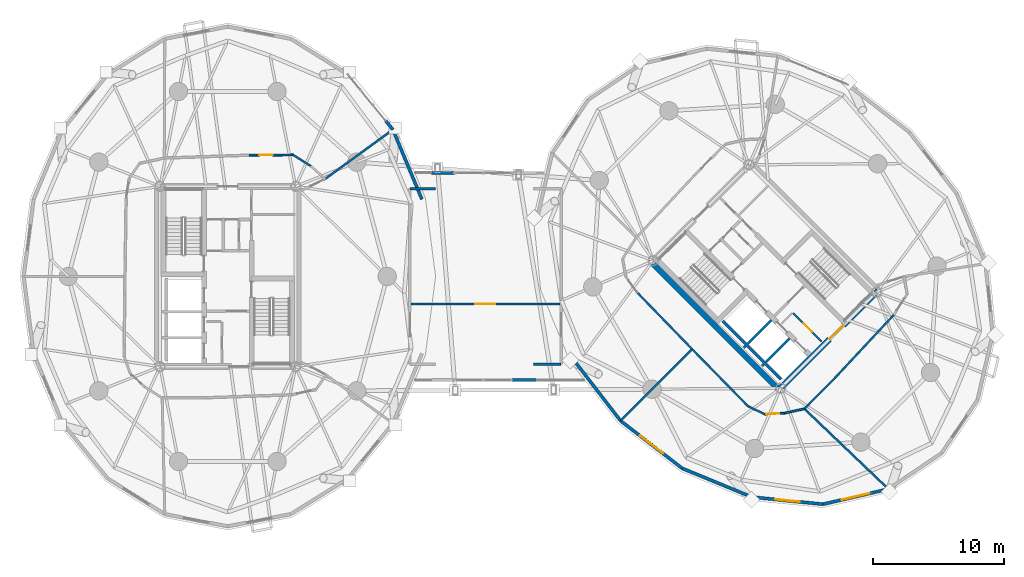
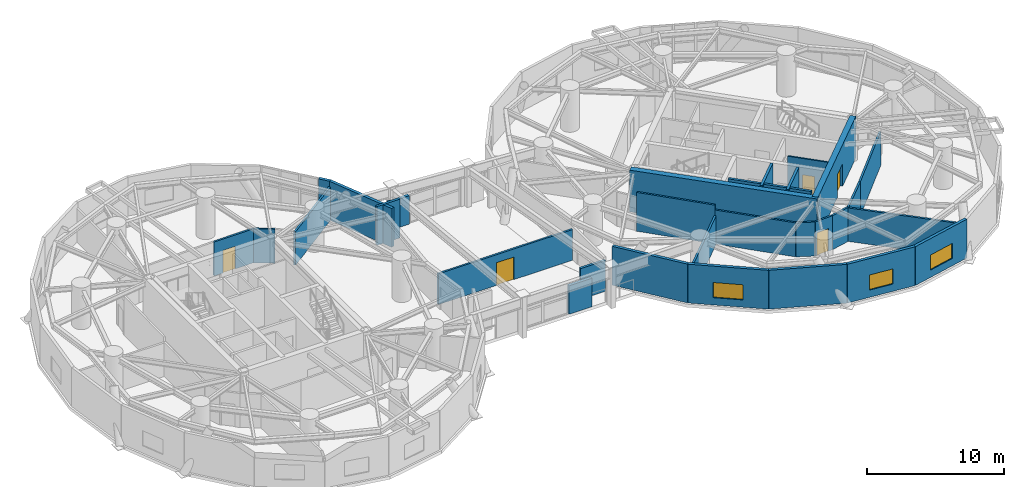
# One storey, part 15 of 20: 32 walls, 5 doors, 3 windows, 8 openings.
"""IFC4 building model written with IfcOpenShell, lengths in metres."""

import ifcopenshell
import ifcopenshell.guid

model = None  # the IFC model being written
_history = None  # IfcOwnerHistory: only IFC2X3 demands one
_inside = {}  # id of a spatial element -> (the spatial element, [elements in it])
_under = {}  # id of a project, library or spatial element -> (it, [spatial elements below it])
_declared = {}  # id of a project -> (the project, [libraries it declares])
_typed = {}  # id of a type object -> (the type object, [elements of that type])
_made_of = {}  # id of a material, layer set ... -> (it, [elements and type objects made of it])


def new_model(schema):
    """Start an empty IFC model of exactly this schema.

    Asked for "IFC4X3", IfcOpenShell would pick the latest addendum, in which some entities
    have other attributes; the version numbers below select the first issue.
    IFC2X3 requires an IfcOwnerHistory on every rooted entity: one is made here for all.
    """
    global model, _history
    if schema == "IFC4X3":
        model = ifcopenshell.file(schema_version=(4, 3, 0, 0))
    else:
        model = ifcopenshell.file(schema=schema)
    _inside.clear()
    _under.clear()
    _declared.clear()
    _typed.clear()
    _made_of.clear()
    _history = None
    if model.schema == "IFC2X3":
        org = make("IfcOrganization", Name="unknown")
        user = make(
            "IfcPersonAndOrganization",
            ThePerson=make("IfcPerson", FamilyName="unknown"),
            TheOrganization=org,
        )
        app = make(
            "IfcApplication",
            ApplicationDeveloper=org,
            Version="unknown",
            ApplicationFullName="unknown",
            ApplicationIdentifier="unknown",
        )
        _history = make(
            "IfcOwnerHistory",
            OwningUser=user,
            OwningApplication=app,
            ChangeAction="ADDED",
            CreationDate=0,
        )
    return model


def make(cls, **values):
    """One entity of the class cls with the attributes given. An attribute that is None is left unset."""
    return model.create_entity(
        cls, **{name: value for name, value in values.items() if value is not None}
    )


def rooted(cls, **values):
    """An entity with a GlobalId (a new one), such as an element, a storey or a relation."""
    return make(cls, GlobalId=ifcopenshell.guid.new(), OwnerHistory=_history, **values)


def si_unit(unit_type, name, prefix=None):
    """IfcSIUnit, for example si_unit("LENGTHUNIT", "METRE", prefix="MILLI")."""
    return make("IfcSIUnit", UnitType=unit_type, Prefix=prefix, Name=name)


def assignment(units):
    """IfcUnitAssignment: the units of a project."""
    return None if units is None else make("IfcUnitAssignment", Units=units)


def point(xyz):
    """IfcCartesianPoint."""
    return None if xyz is None else make("IfcCartesianPoint", Coordinates=xyz)


def direction(xyz):
    """IfcDirection."""
    return None if xyz is None else make("IfcDirection", DirectionRatios=xyz)


def frame(location, z_axis=None, x_axis=None):
    """IfcAxis2Placement3D, a coordinate frame: its origin and axes. An axis left out is left unset."""
    return make(
        "IfcAxis2Placement3D",
        Location=point(location),
        Axis=direction(z_axis),
        RefDirection=direction(x_axis),
    )


def frame_2d(location, x_axis=None):
    """IfcAxis2Placement2D, a coordinate frame in the plane: its origin and x axis."""
    return make(
        "IfcAxis2Placement2D", Location=point(location), RefDirection=direction(x_axis)
    )


def origin():
    """The frame at (0, 0, 0) with its axes left unset."""
    return frame((0.0, 0.0, 0.0))


def place(relative_to, where):
    """IfcLocalPlacement: puts the frame where relative to a parent placement (None: the world)."""
    return make(
        "IfcLocalPlacement", PlacementRelTo=relative_to, RelativePlacement=where
    )


def context(
    kind, dimensions, precision=None, world=None, true_north=None, identifier=None
):
    """IfcGeometricRepresentationContext, for example the 3D "Model" context."""
    return make(
        "IfcGeometricRepresentationContext",
        ContextIdentifier=identifier,
        ContextType=kind,
        CoordinateSpaceDimension=dimensions,
        Precision=precision,
        WorldCoordinateSystem=world,
        TrueNorth=true_north,
    )


def subcontext(parent, identifier, kind, view, scale=None):
    """IfcGeometricRepresentationSubContext, for example "Body" below "Model"."""
    return make(
        "IfcGeometricRepresentationSubContext",
        ContextIdentifier=identifier,
        ContextType=kind,
        ParentContext=parent,
        TargetScale=scale,
        TargetView=view,
    )


def project(units=None, contexts=None):
    """IfcProject with its units and contexts."""
    return rooted(
        "IfcProject",
        Name="project",
        RepresentationContexts=contexts,
        UnitsInContext=assignment(units),
    )


def spatial(cls, under=None, at=None, **own):
    """A site, building, storey or space (cls), placed at a placement, below another one or the project."""
    s = rooted(cls, ObjectPlacement=at, **own)
    if under is not None:
        _under.setdefault(under.id(), (under, []))[1].append(s)
    return s


def profile(cls, at=None, kind="AREA", **sizes):
    """A parametric profile (cls). Its sizes go by their IFC names, for example OverallWidth=200.0."""
    return make(cls, ProfileType=kind, Position=at, **sizes)


def rectangle(**sizes):
    """IfcRectangleProfileDef."""
    return profile("IfcRectangleProfileDef", **sizes)


def extrude(swept, where, along, depth):
    """IfcExtrudedAreaSolid: the profile swept, set in the frame where, extruded along a direction by depth."""
    return make(
        "IfcExtrudedAreaSolid",
        SweptArea=swept,
        Position=where,
        ExtrudedDirection=direction(along),
        Depth=depth,
    )


def shape(context_of_items, identifier, shape_type, items):
    """IfcShapeRepresentation: the items that make up one representation, for example the "Body"."""
    return make(
        "IfcShapeRepresentation",
        ContextOfItems=context_of_items,
        RepresentationIdentifier=identifier,
        RepresentationType=shape_type,
        Items=items,
    )


def source(mapping_origin, context_of_items, identifier, shape_type, items):
    """IfcRepresentationMap: a shape defined once, which mapped items show again and again."""
    return make(
        "IfcRepresentationMap",
        MappingOrigin=mapping_origin,
        MappedRepresentation=shape(context_of_items, identifier, shape_type, items),
    )


def transform(
    local_origin,
    x_axis=None,
    y_axis=None,
    z_axis=None,
    scale=None,
    scale2=None,
    scale3=None,
    uniform=True,
):
    """IfcCartesianTransformationOperator3D, or its non-uniform kind. x_axis, y_axis, z_axis: its Axis1, 2, 3."""
    if uniform:
        return make(
            "IfcCartesianTransformationOperator3D",
            Axis1=direction(x_axis),
            Axis2=direction(y_axis),
            LocalOrigin=point(local_origin),
            Scale=scale,
            Axis3=direction(z_axis),
        )
    return make(
        "IfcCartesianTransformationOperator3DnonUniform",
        Axis1=direction(x_axis),
        Axis2=direction(y_axis),
        LocalOrigin=point(local_origin),
        Scale=scale,
        Axis3=direction(z_axis),
        Scale2=scale2,
        Scale3=scale3,
    )


def mapped(mapping_source, mapping_target):
    """IfcMappedItem: shows the shape of a source again, moved by a transform."""
    return make(
        "IfcMappedItem", MappingSource=mapping_source, MappingTarget=mapping_target
    )


def material(Name=None, Category=None):
    """IfcMaterial."""
    return make("IfcMaterial", Name=Name, Category=Category)


def layer(
    of_material, thickness, ventilated=None, Name=None, Category=None, Priority=None
):
    """IfcMaterialLayer: one layer of a wall or slab, of a material (None: an air gap)."""
    return make(
        "IfcMaterialLayer",
        Material=of_material,
        LayerThickness=thickness,
        IsVentilated=ventilated,
        Name=Name,
        Category=Category,
        Priority=Priority,
    )


def layer_set(layers, Name=None):
    """IfcMaterialLayerSet."""
    return make("IfcMaterialLayerSet", MaterialLayers=layers, LayerSetName=Name)


def made_of(thing, what):
    """Note that an element or type object is made of a material, layer set ...; save() writes the relation."""
    if what is not None:
        _made_of.setdefault(what.id(), (what, []))[1].append(thing)
    return thing


def type_object(cls, material=None, **own):
    """A type object (cls), such as IfcWallType, which elements share."""
    return made_of(rooted(cls, **own), material)


def element(
    cls,
    number,
    at=None,
    inside=None,
    cuts=None,
    type_object=None,
    material=None,
    context=None,
    identifier="Body",
    shape_type=None,
    held_by="IfcProductDefinitionShape",
    body=None,
    shapes=None,
    **own,
):
    """One element of the class cls, such as IfcWall. Its Tag is "e" and its number.

    at: its placement. inside: the storey or other place that contains it. cuts: it is an
    opening in that element (IfcRelVoidsElement). A single representation is given by context,
    identifier, shape_type and body (its items); several are given by shapes. held_by: the class
    of the entity that holds the representations. save() writes the other relations.
    """
    e = rooted(cls, Tag="e%d" % number, ObjectPlacement=at, **own)
    if body is not None:
        shapes = [shape(context, identifier, shape_type, body)]
    if shapes is not None:
        e.Representation = make(held_by, Representations=shapes)
    if inside is not None:
        _inside.setdefault(inside.id(), (inside, []))[1].append(e)
    if cuts is not None:
        rooted(
            "IfcRelVoidsElement", RelatingBuildingElement=cuts, RelatedOpeningElement=e
        )
    if type_object is not None:
        _typed.setdefault(type_object.id(), (type_object, []))[1].append(e)
    return made_of(e, material)


def fill(opening, filler):
    """IfcRelFillsElement: the door or window that sits in an opening."""
    return rooted(
        "IfcRelFillsElement",
        RelatingOpeningElement=opening,
        RelatedBuildingElement=filler,
    )


def aggregate(whole, parts):
    """IfcRelAggregates: a whole, such as a stair, and the parts it consists of."""
    return rooted("IfcRelAggregates", RelatingObject=whole, RelatedObjects=parts)


def save(model, path):
    """Write the relations noted so far, then the file.

    IfcRelAggregates (storeys below a building ...), IfcRelContainedInSpatialStructure (elements
    in a storey), IfcRelDefinesByType, IfcRelAssociatesMaterial and IfcRelDeclares: one each for
    every whole, place, type object, material and project.
    """
    for whole, parts in _under.values():
        aggregate(whole, parts)
    for where, things in _inside.values():
        rooted(
            "IfcRelContainedInSpatialStructure",
            RelatedElements=things,
            RelatingStructure=where,
        )
    for kind, things in _typed.values():
        rooted("IfcRelDefinesByType", RelatedObjects=things, RelatingType=kind)
    for what, things in _made_of.values():
        rooted("IfcRelAssociatesMaterial", RelatedObjects=things, RelatingMaterial=what)
    for by, libraries in _declared.values():
        rooted("IfcRelDeclares", RelatingContext=by, RelatedDefinitions=libraries)
    model.write(path)


model = new_model("IFC4")

# Units and contexts
model_context = context("Model", 3, precision=1e-05, world=origin(), true_north=direction((0.0, 1.0)))
body_context = subcontext(model_context, "Body", "Model", "MODEL_VIEW")
ifc_project = project(units=[si_unit("LENGTHUNIT", "METRE"), si_unit("AREAUNIT", "SQUARE_METRE"), si_unit("VOLUMEUNIT", "CUBIC_METRE"), si_unit("PLANEANGLEUNIT", "RADIAN"), si_unit("MASSUNIT", "GRAM", prefix="KILO")], contexts=[model_context])

# Site, building, storey
site_placement = place(None, origin())
site = spatial("IfcSite", under=ifc_project, at=site_placement, CompositionType="ELEMENT")
building_placement = place(site_placement, origin())
building = spatial("IfcBuilding", under=site, at=building_placement, Name="Cununo Teusaquillo Station Towers", CompositionType="ELEMENT")
storey_placement = place(building_placement, frame((0.0, 0.0, 140.320068359375)))
storey = spatial("IfcBuildingStorey", under=building, at=storey_placement, Name="L44", CompositionType="ELEMENT", Elevation=140.320068359375)

# Walls
ifc_material_1 = material(Name="Concrete C50/60", Category="concrete")
ifc_layer_1 = layer(ifc_material_1, 0.199951171875)
ifc_layer_set_1 = layer_set([ifc_layer_1], Name="Concrete C50/60")
wall_type_1 = type_object("IfcWallType", Name="WL-CORE-200", PredefinedType="SHEAR", material=ifc_layer_set_1)
wall_1_placement = place(storey_placement, frame((55.8876953125, 19.0693359375, 0.0), z_axis=(0.0, 0.0, 1.0), x_axis=(0.707106781187, 0.707106781187, 0.0)))
element("IfcWall", 1, at=wall_1_placement, inside=storey, type_object=wall_type_1, Name="L44 Tower B Firefighting Lift Shaft South Shear Wall", PredefinedType="SHEAR", context=body_context, shape_type="SweptSolid", body=[
    extrude(rectangle(XDim=2.969970703125, YDim=0.199951171875, at=frame_2d((1.48486328125, 0.0))), origin(), (0.0, 0.0, 1.0), 3.719970703125),
])
wall_2_placement = place(storey_placement, frame((56.01513671875, 19.366455078125, 0.0), z_axis=(0.0, 0.0, 1.0), x_axis=(-0.707106781187, 0.707106781187, 0.0)))
element("IfcWall", 2, at=wall_2_placement, inside=storey, type_object=wall_type_1, Name="L44 Tower B Firefighting Lift Shaft Rear Shear Wall", PredefinedType="SHEAR", context=body_context, shape_type="SweptSolid", body=[
    extrude(rectangle(XDim=2.43994140625, YDim=0.199951171875, at=frame_2d((1.219970703125, 0.0))), origin(), (0.0, 0.0, 1.0), 3.719970703125),
])
wall_3_placement = place(storey_placement, frame((57.2841796875, 17.6728515625, 0.0), z_axis=(0.0, 0.0, 1.0), x_axis=(0.707147878904, 0.70706568108, 0.0)))
element("IfcWall", 3, at=wall_3_placement, inside=storey, type_object=wall_type_1, Name="L44 Tower B High-Rise Lift Hoistway Divider Shear Wall", PredefinedType="SHEAR", context=body_context, shape_type="SweptSolid", body=[
    extrude(rectangle(XDim=2.97021484375, YDim=0.199951171875, at=frame_2d((1.485107421875, 0.0))), origin(), (0.0, 0.0, 1.0), 3.719970703125),
])
wall_4_placement = place(storey_placement, frame((57.41162109375, 17.969970703125, 0.0), z_axis=(0.0, 0.0, 1.0), x_axis=(-0.707106781187, 0.707106781187, 0.0)))
element("IfcWall", 4, at=wall_4_placement, inside=storey, type_object=wall_type_1, Name="L44 Tower B High-Rise Lift 2 Shaft Rear Shear Wall", PredefinedType="SHEAR", context=body_context, shape_type="SweptSolid", body=[
    extrude(rectangle(XDim=1.73486328125, YDim=0.199951171875, at=frame_2d((0.867431640625, 0.0))), origin(), (0.0, 0.0, 1.0), 3.719970703125),
])
wall_5_placement = place(storey_placement, frame((58.7373046875, 16.64404296875, 0.0), z_axis=(0.0, 0.0, 1.0), x_axis=(-0.707032117043, 0.707181437447, 0.0)))
element("IfcWall", 5, at=wall_5_placement, inside=storey, type_object=wall_type_1, Name="L44 Tower B High-Rise Lift 1 Shaft Rear Shear Wall", PredefinedType="SHEAR", context=body_context, shape_type="SweptSolid", body=[
    extrude(rectangle(XDim=1.635009765625, YDim=0.199951171875, at=frame_2d((0.8173828125, 0.0))), origin(), (0.0, 0.0, 1.0), 3.719970703125),
])
ifc_material_2 = material(Name="Concrete C60/75", Category="concrete")
ifc_layer_2 = layer(ifc_material_2, 0.449951171875)
ifc_layer_set_2 = layer_set([ifc_layer_2], Name="Concrete C60/75")
wall_type_2 = type_object("IfcWallType", Name="WL-CORE-450", PredefinedType="SHEAR", material=ifc_layer_set_2)
wall_6_placement = place(storey_placement, frame((58.7373046875, 15.696533203125, 0.0), z_axis=(0.0, 0.0, 1.0), x_axis=(-0.707106781187, 0.707106781187, 0.0)))
element("IfcWall", 6, at=wall_6_placement, inside=storey, type_object=wall_type_2, Name="L44 Tower B Core Shear Wall W", PredefinedType="SHEAR", context=body_context, shape_type="SweptSolid", body=[
    extrude(rectangle(XDim=14.19970703125, YDim=0.449951171875, at=frame_2d((7.099853515625, 0.0))), origin(), (0.0, 0.0, 1.0), 3.719970703125),
])

# Wall, opening, door
wall_7_placement = place(storey_placement, frame((58.578369140625, 15.855712890625, 0.0), z_axis=(0.0, 0.0, 1.0), x_axis=(0.707106781187, 0.707106781187, 0.0)))
wall_7 = element("IfcWall", 7, at=wall_7_placement, inside=storey, type_object=wall_type_2, Name="L44 Tower B Core Shear Wall S", PredefinedType="SHEAR", context=body_context, shape_type="SweptSolid", body=[
    extrude(rectangle(XDim=10.69970703125, YDim=0.449951171875, at=frame_2d((5.349853515625, 0.0))), origin(), (0.0, 0.0, 1.0), 3.719970703125),
])
shared_shape_1 = source(origin(), body_context, "Body", "SweptSolid", [
    extrude(rectangle(XDim=1.5, YDim=2.02001953125, at=frame_2d((0.75, 1.010009765625))), frame((0.0, 0.23486328125, 0.0), z_axis=(0.0, -1.0, 0.0), x_axis=(1.0, 0.0, 0.0)), (0.0, 0.0, 1.0), 0.469970703125),
])
opening_1_placement = place(wall_7_placement, frame((5.449951171875, 0.0, 0.0)))
opening_1 = element("IfcOpeningElement", 8, at=opening_1_placement, cuts=wall_7, Name="Opening D-LB1", PredefinedType="OPENING", context=body_context, shape_type="MappedRepresentation", body=[
    mapped(shared_shape_1, transform((0.0, 0.0, 0.0), x_axis=(1.0, 0.0, 0.0), y_axis=(0.0, 1.0, 0.0), z_axis=(0.0, 0.0, 1.0), scale=1.0)),
])
ifc_material_3 = material(Name="Galvanised fire-rated hollow steel door assembly", Category="steel")
door_type_1 = type_object("IfcDoorType", Name="DR-LOBBY-1500", OperationType="DOUBLE_DOOR_SINGLE_SWING", PredefinedType="DOOR", material=ifc_material_3)
shared_shape_2 = source(origin(), body_context, "Body", "SweptSolid", [
    extrude(rectangle(XDim=1.5, YDim=2.02001953125, at=frame_2d((0.75, 1.010009765625))), frame((0.0, 0.02490234375, 0.0), z_axis=(0.0, -1.0, 0.0), x_axis=(1.0, 0.0, 0.0)), (0.0, 0.0, 1.0), 0.050048828125),
])
door_1_placement = place(opening_1_placement, origin())
door_1 = element("IfcDoor", 9, at=door_1_placement, inside=storey, type_object=door_type_1, Name="L44 Tower B South Core Lift Lobby Door", OperationType="DOUBLE_DOOR_SINGLE_SWING", OverallHeight=2.02001953125, OverallWidth=1.5, PredefinedType="DOOR", context=body_context, shape_type="MappedRepresentation", body=[
    mapped(shared_shape_2, transform((0.0, 0.0, 0.0), x_axis=(1.0, 0.0, 0.0), y_axis=(0.0, 1.0, 0.0), z_axis=(0.0, 0.0, 1.0), scale=1.0)),
])
fill(opening_1, door_1)

# Walls
ifc_material_4 = material(Name="Precast concrete C40/50", Category="concrete")
ifc_layer_3 = layer(ifc_material_4, 0.239990234375)
ifc_layer_set_3 = layer_set([ifc_layer_3], Name="Precast concrete C40/50")
wall_type_3 = type_object("IfcWallType", Name="WL-EXT-240", PredefinedType="SOLIDWALL", material=ifc_layer_set_3)
wall_8_placement = place(storey_placement, frame((29.105224609375, 35.708984375, 0.0), z_axis=(0.0, 0.0, 1.0), x_axis=(0.384344417632, -0.923189779317, 0.0)))
element("IfcWall", 10, at=wall_8_placement, inside=storey, type_object=wall_type_3, Name="L44 Tower A Exterior Facade Wall C01", PredefinedType="SOLIDWALL", context=body_context, shape_type="SweptSolid", body=[
    extrude(rectangle(XDim=5.75830078125, YDim=0.239990234375, at=frame_2d((2.879150390625, 0.0))), origin(), (0.0, 0.0, 1.0), 3.46484375),
])
wall_9_placement = place(storey_placement, frame((28.5546875, 36.3828125, 0.0), z_axis=(0.0, 0.0, 1.0), x_axis=(0.632702874536, -0.774394649099, 0.0)))
element("IfcWall", 11, at=wall_9_placement, inside=storey, type_object=wall_type_3, Name="L44 Tower A Column Pier Cladding Wall C02-PB", PredefinedType="SOLIDWALL", context=body_context, shape_type="SweptSolid", body=[
    extrude(rectangle(XDim=0.8701171875, YDim=0.239990234375, at=frame_2d((0.43505859375, 0.0))), origin(), (0.0, 0.0, 1.0), 3.46484375),
])
wall_10_placement = place(storey_placement, frame((46.482666015625, 13.482666015625, 0.0), z_axis=(0.0, 0.0, 1.0), x_axis=(-0.61054437102, 0.791982052206, 0.0)))
element("IfcWall", 12, at=wall_10_placement, inside=storey, type_object=wall_type_3, Name="L44 Tower B Exterior Facade Wall C09", PredefinedType="SOLIDWALL", context=body_context, shape_type="SweptSolid", body=[
    extrude(rectangle(XDim=5.942138671875, YDim=0.239990234375, at=frame_2d((2.97119140625, 0.0))), origin(), (0.0, 0.0, 1.0), 3.46484375),
])

# Wall, opening, window
wall_11_placement = place(storey_placement, frame((51.188720703125, 9.854736328125, 0.0), z_axis=(0.0, 0.0, 1.0), x_axis=(-0.791982052206, 0.61054437102, 0.0)))
wall_11 = element("IfcWall", 13, at=wall_11_placement, inside=storey, type_object=wall_type_3, Name="L44 Tower B Exterior Facade Wall C10", PredefinedType="SOLIDWALL", context=body_context, shape_type="SweptSolid", body=[
    extrude(rectangle(XDim=5.942138671875, YDim=0.239990234375, at=frame_2d((2.97119140625, 0.0))), origin(), (0.0, 0.0, 1.0), 3.46484375),
])
shared_shape_3 = source(origin(), body_context, "Body", "SweptSolid", [
    extrude(rectangle(XDim=2.199951171875, YDim=1.35009765625, at=frame_2d((1.10009765625, 0.675048828125))), frame((0.0, 0.1298828125, 0.0), z_axis=(0.0, -1.0, 0.0), x_axis=(1.0, 0.0, 0.0)), (0.0, 0.0, 1.0), 0.260009765625),
])
opening_2_placement = place(wall_11_placement, frame((1.87109375, 0.0, 0.64990234375)))
opening_2 = element("IfcOpeningElement", 14, at=opening_2_placement, cuts=wall_11, Name="Opening WN-01", PredefinedType="OPENING", context=body_context, shape_type="MappedRepresentation", body=[
    mapped(shared_shape_3, transform((0.0, 0.0, 0.0), x_axis=(1.0, 0.0, 0.0), y_axis=(0.0, 1.0, 0.0), z_axis=(0.0, 0.0, 1.0), scale=1.0)),
])
ifc_material_5 = material(Name="Ceramic-fritted dark low-E double glazing", Category="glass")
window_type_1 = type_object("IfcWindowType", Name="WIN-FRIT-2200", PartitioningType="DOUBLE_PANEL_VERTICAL", PredefinedType="WINDOW", material=ifc_material_5)
shared_shape_4 = source(origin(), body_context, "Body", "SweptSolid", [
    extrude(rectangle(XDim=2.199951171875, YDim=1.35009765625, at=frame_2d((1.10009765625, 0.675048828125))), frame((0.0, 0.030029296875, 0.0), z_axis=(0.0, -1.0, 0.0), x_axis=(1.0, 0.0, 0.0)), (0.0, 0.0, 1.0), 0.06005859375),
])
window_1_placement = place(opening_2_placement, origin())
window_1 = element("IfcWindow", 15, at=window_1_placement, inside=storey, type_object=window_type_1, Name="L44 Tower B Facade Window C10", OverallHeight=1.35009765625, OverallWidth=2.199951171875, PartitioningType="DOUBLE_PANEL_VERTICAL", PredefinedType="WINDOW", context=body_context, shape_type="MappedRepresentation", body=[
    mapped(shared_shape_4, transform((0.0, 0.0, 0.0), x_axis=(1.0, 0.0, 0.0), y_axis=(0.0, 1.0, 0.0), z_axis=(0.0, 0.0, 1.0), scale=1.0)),
])
fill(opening_2, window_1)

# Wall
wall_12_placement = place(storey_placement, frame((56.5126953125, 7.66064453125, 0.0), z_axis=(0.0, 0.0, 1.0), x_axis=(-0.924563909604, 0.381027003055, 0.0)))
element("IfcWall", 16, at=wall_12_placement, inside=storey, type_object=wall_type_3, Name="L44 Tower B Exterior Facade Wall C11", PredefinedType="SOLIDWALL", context=body_context, shape_type="SweptSolid", body=[
    extrude(rectangle(XDim=5.75830078125, YDim=0.239990234375, at=frame_2d((2.879150390625, 0.0))), origin(), (0.0, 0.0, 1.0), 3.46484375),
])

# Wall, opening, window
wall_13_placement = place(storey_placement, frame((61.933349609375, 7.114990234375, 0.0), z_axis=(0.0, 0.0, 1.0), x_axis=(-0.994971754311, 0.10015591906, 0.0)))
wall_13 = element("IfcWall", 17, at=wall_13_placement, inside=storey, type_object=wall_type_3, Name="L44 Tower B Exterior Facade Wall C12", PredefinedType="SOLIDWALL", context=body_context, shape_type="SweptSolid", body=[
    extrude(rectangle(XDim=5.447998046875, YDim=0.239990234375, at=frame_2d((2.72412109375, 0.0))), origin(), (0.0, 0.0, 1.0), 3.46484375),
])
shared_shape_5 = source(origin(), body_context, "Body", "SweptSolid", [
    extrude(rectangle(XDim=1.89990234375, YDim=1.35009765625, at=frame_2d((0.949951171875, 0.675048828125))), frame((0.0, 0.1298828125, 0.0), z_axis=(0.0, -1.0, 0.0), x_axis=(1.0, 0.0, 0.0)), (0.0, 0.0, 1.0), 0.260009765625),
])
opening_3_placement = place(wall_13_placement, frame((1.77392578125, 0.0, 0.64990234375)))
opening_3 = element("IfcOpeningElement", 18, at=opening_3_placement, cuts=wall_13, Name="Opening WN-02", PredefinedType="OPENING", context=body_context, shape_type="MappedRepresentation", body=[
    mapped(shared_shape_5, transform((0.0, 0.0, 0.0), x_axis=(1.0, 0.0, 0.0), y_axis=(0.0, 1.0, 0.0), z_axis=(0.0, 0.0, 1.0), scale=1.0)),
])
ifc_material_6 = material(Name="Operable acoustic tinted low-E double glazing", Category="glass")
window_type_2 = type_object("IfcWindowType", Name="WIN-OPER-1900", PartitioningType="DOUBLE_PANEL_VERTICAL", PredefinedType="WINDOW", material=ifc_material_6)
shared_shape_6 = source(origin(), body_context, "Body", "SweptSolid", [
    extrude(rectangle(XDim=1.89990234375, YDim=1.35009765625, at=frame_2d((0.949951171875, 0.675048828125))), frame((0.0, 0.030029296875, 0.0), z_axis=(0.0, -1.0, 0.0), x_axis=(1.0, 0.0, 0.0)), (0.0, 0.0, 1.0), 0.06005859375),
])
window_2_placement = place(opening_3_placement, origin())
window_2 = element("IfcWindow", 19, at=window_2_placement, inside=storey, type_object=window_type_2, Name="L44 Tower B Facade Window C12", OverallHeight=1.35009765625, OverallWidth=1.89990234375, PartitioningType="DOUBLE_PANEL_VERTICAL", PredefinedType="WINDOW", context=body_context, shape_type="MappedRepresentation", body=[
    mapped(shared_shape_6, transform((0.0, 0.0, 0.0), x_axis=(1.0, 0.0, 0.0), y_axis=(0.0, 1.0, 0.0), z_axis=(0.0, 0.0, 1.0), scale=1.0)),
])
fill(opening_3, window_2)

wall_14_placement = place(storey_placement, frame((66.919921875, 8.27099609375, 0.0), z_axis=(0.0, 0.0, 1.0), x_axis=(-0.974165631126, -0.225834725257, 0.0)))
wall_14 = element("IfcWall", 20, at=wall_14_placement, inside=storey, type_object=wall_type_3, Name="L44 Tower B Exterior Facade Wall C13", PredefinedType="SOLIDWALL", context=body_context, shape_type="SweptSolid", body=[
    extrude(rectangle(XDim=5.118896484375, YDim=0.239990234375, at=frame_2d((2.5595703125, 0.0))), origin(), (0.0, 0.0, 1.0), 3.46484375),
])
opening_4_placement = place(wall_14_placement, frame((1.458984375, 0.0, 0.64990234375)))
opening_4 = element("IfcOpeningElement", 21, at=opening_4_placement, cuts=wall_14, Name="Opening WN-01", PredefinedType="OPENING", context=body_context, shape_type="MappedRepresentation", body=[
    mapped(shared_shape_3, transform((0.0, 0.0, 0.0), x_axis=(1.0, 0.0, 0.0), y_axis=(0.0, 1.0, 0.0), z_axis=(0.0, 0.0, 1.0), scale=1.0)),
])
window_3_placement = place(opening_4_placement, origin())
window_3 = element("IfcWindow", 22, at=window_3_placement, inside=storey, type_object=window_type_1, Name="L44 Tower B Facade Window C13", OverallHeight=1.35009765625, OverallWidth=2.199951171875, PartitioningType="DOUBLE_PANEL_VERTICAL", PredefinedType="WINDOW", context=body_context, shape_type="MappedRepresentation", body=[
    mapped(shared_shape_4, transform((0.0, 0.0, 0.0), x_axis=(1.0, 0.0, 0.0), y_axis=(0.0, 1.0, 0.0), z_axis=(0.0, 0.0, 1.0), scale=1.0)),
])
fill(opening_4, window_3)

# Walls
wall_15_placement = place(storey_placement, frame((32.050048828125, 32.39990234375, 0.0), z_axis=(0.0, 0.0, 1.0), x_axis=(1.0, 0.0, 0.0)))
element("IfcWall", 23, at=wall_15_placement, inside=storey, type_object=wall_type_3, Name="L44 Mid-Bridge N End Spandrel A", PredefinedType="SOLIDWALL", context=body_context, shape_type="SweptSolid", body=[
    extrude(rectangle(XDim=1.77001953125, YDim=0.239990234375, at=frame_2d((0.885009765625, 0.0))), origin(), (0.0, 0.0, 1.0), 2.5419921875),
])
wall_16_placement = place(storey_placement, frame((40.10009765625, 16.60009765625, 0.0), z_axis=(0.0, 0.0, 1.0), x_axis=(-1.0, 0.0, 0.0)))
element("IfcWall", 24, at=wall_16_placement, inside=storey, type_object=wall_type_3, Name="L44 Mid-Bridge S End Spandrel A", PredefinedType="SOLIDWALL", context=body_context, shape_type="SweptSolid", body=[
    extrude(rectangle(XDim=1.920166015625, YDim=0.239990234375, at=frame_2d((0.9599609375, 0.0))), origin(), (0.0, 0.0, 1.0), 2.5419921875),
])

# Wall, opening, door
ifc_material_7 = material(Name="Fire-rated gypsum plasterboard partition assembly", Category="gypsum")
ifc_layer_4 = layer(ifc_material_7, 0.125)
ifc_layer_set_4 = layer_set([ifc_layer_4], Name="Fire-rated gypsum plasterboard partition assembly")
wall_type_4 = type_object("IfcWallType", Name="WL-PART-125", PredefinedType="PARTITIONING", material=ifc_layer_set_4)
wall_17_placement = place(storey_placement, frame((61.834716796875, 19.529052734375, 0.0), z_axis=(0.0, 0.0, 1.0), x_axis=(-0.707146413884, 0.707067146267, 0.0)))
wall_17 = element("IfcWall", 25, at=wall_17_placement, inside=storey, type_object=wall_type_4, Name="L44 Tower B South-West Tall Store East Wall", PredefinedType="PARTITIONING", context=body_context, shape_type="SweptSolid", body=[
    extrude(rectangle(XDim=3.079833984375, YDim=0.125, at=frame_2d((1.5400390625, 0.0))), origin(), (0.0, 0.0, 1.0), 3.46484375),
])
shared_shape_7 = source(origin(), body_context, "Body", "SweptSolid", [
    extrude(rectangle(XDim=0.89990234375, YDim=2.0048828125, at=frame_2d((0.449951171875, 1.00244140625))), frame((0.0, 0.072509765625, 0.0), z_axis=(0.0, -1.0, 0.0), x_axis=(1.0, 0.0, 0.0)), (0.0, 0.0, 1.0), 0.14501953125),
])
opening_5_placement = place(wall_17_placement, frame((1.050048828125, 0.0, 0.0)))
opening_5 = element("IfcOpeningElement", 26, at=opening_5_placement, cuts=wall_17, Name="Opening D-SR1", PredefinedType="OPENING", context=body_context, shape_type="MappedRepresentation", body=[
    mapped(shared_shape_7, transform((0.0, 0.0, 0.0), x_axis=(1.0, 0.0, 0.0), y_axis=(0.0, 1.0, 0.0), z_axis=(0.0, 0.0, 1.0), scale=1.0)),
])
ifc_material_8 = material(Name="Galvanised fire-rated hollow steel door assembly", Category="steel")
door_type_2 = type_object("IfcDoorType", Name="DR-STORE-900", OperationType="NOTDEFINED", PredefinedType="DOOR", material=ifc_material_8)
shared_shape_8 = source(origin(), body_context, "Body", "SweptSolid", [
    extrude(rectangle(XDim=0.89990234375, YDim=2.0048828125, at=frame_2d((0.449951171875, 1.00244140625))), frame((0.0, 0.02490234375, 0.0), z_axis=(0.0, -1.0, 0.0), x_axis=(1.0, 0.0, 0.0)), (0.0, 0.0, 1.0), 0.050048828125),
])
door_2_placement = place(opening_5_placement, origin())
door_2 = element("IfcDoor", 27, at=door_2_placement, inside=storey, type_object=door_type_2, Name="L44 Tower B South Cleaners Store Door", OperationType="SINGLE_SWING_LEFT", OverallHeight=2.0048828125, OverallWidth=0.89990234375, PredefinedType="DOOR", context=body_context, shape_type="MappedRepresentation", body=[
    mapped(shared_shape_8, transform((0.0, 0.0, 0.0), x_axis=(1.0, 0.0, 0.0), y_axis=(0.0, 1.0, 0.0), z_axis=(0.0, 0.0, 1.0), scale=1.0)),
])
fill(opening_5, door_2)

# Wall
ifc_material_9 = material(Name="Fire-rated gypsum plasterboard partition assembly", Category="gypsum")
ifc_layer_5 = layer(ifc_material_9, 0.14990234375)
ifc_layer_set_5 = layer_set([ifc_layer_5], Name="Fire-rated gypsum plasterboard partition assembly")
wall_type_5 = type_object("IfcWallType", Name="WL-PART-150", PredefinedType="PARTITIONING", material=ifc_layer_set_5)
wall_18_placement = place(storey_placement, frame((22.837158203125, 32.92919921875, 0.0), z_axis=(0.0, 0.0, 1.0), x_axis=(-0.84581079329, 0.533482991252, 0.0)))
element("IfcWall", 28, at=wall_18_placement, inside=storey, type_object=wall_type_5, Name="L44 Tower A Corridor Ring Wall C03", PredefinedType="PARTITIONING", context=body_context, shape_type="SweptSolid", body=[
    extrude(rectangle(XDim=1.585205078125, YDim=0.14990234375, at=frame_2d((0.79248046875, 0.0))), origin(), (0.0, 0.0, 1.0), 3.034912109375),
])

# Wall, opening, door
wall_19_placement = place(storey_placement, frame((21.496337890625, 33.77490234375, 0.0), z_axis=(0.0, 0.0, 1.0), x_axis=(-0.999989544737, -0.004572790979, 0.0)))
wall_19 = element("IfcWall", 29, at=wall_19_placement, inside=storey, type_object=wall_type_5, Name="L44 Tower A Corridor Ring Wall C04", PredefinedType="PARTITIONING", context=body_context, shape_type="SweptSolid", body=[
    extrude(rectangle(XDim=3.363525390625, YDim=0.14990234375, at=frame_2d((1.681640625, 0.0))), origin(), (0.0, 0.0, 1.0), 3.034912109375),
])
shared_shape_9 = source(origin(), body_context, "Body", "SweptSolid", [
    extrude(rectangle(XDim=1.050048828125, YDim=2.014892578125, at=frame_2d((0.52490234375, 1.00732421875))), frame((0.0, 0.0849609375, 0.0), z_axis=(0.0, -1.0, 0.0), x_axis=(1.0, 0.0, 0.0)), (0.0, 0.0, 1.0), 0.169921875),
])
opening_6_placement = place(wall_19_placement, frame((1.545654296875, 0.0, 0.0)))
opening_6 = element("IfcOpeningElement", 30, at=opening_6_placement, cuts=wall_19, Name="Opening D-SU1", PredefinedType="OPENING", context=body_context, shape_type="MappedRepresentation", body=[
    mapped(shared_shape_9, transform((0.0, 0.0, 0.0), x_axis=(1.0, 0.0, 0.0), y_axis=(0.0, 1.0, 0.0), z_axis=(0.0, 0.0, 1.0), scale=1.0)),
])
ifc_material_10 = material(Name="Acoustic solid-core hardwood leaf assembly", Category="wood")
door_type_3 = type_object("IfcDoorType", Name="DR-SUITE-1050", OperationType="NOTDEFINED", PredefinedType="DOOR", material=ifc_material_10)
shared_shape_10 = source(origin(), body_context, "Body", "SweptSolid", [
    extrude(rectangle(XDim=1.050048828125, YDim=2.014892578125, at=frame_2d((0.52490234375, 1.00732421875))), frame((0.0, 0.02490234375, 0.0), z_axis=(0.0, -1.0, 0.0), x_axis=(1.0, 0.0, 0.0)), (0.0, 0.0, 1.0), 0.050048828125),
])
door_3_placement = place(opening_6_placement, origin())
door_3 = element("IfcDoor", 31, at=door_3_placement, inside=storey, type_object=door_type_3, Name="L44 Tower A Panoramic Conservatory Dining Hall Entrance Door", OperationType="SINGLE_SWING_LEFT", OverallHeight=2.014892578125, OverallWidth=1.050048828125, PredefinedType="DOOR", context=body_context, shape_type="MappedRepresentation", body=[
    mapped(shared_shape_10, transform((0.0, 0.0, 0.0), x_axis=(1.0, 0.0, 0.0), y_axis=(0.0, 1.0, 0.0), z_axis=(0.0, 0.0, 1.0), scale=1.0)),
])
fill(opening_6, door_3)

# Walls
wall_20_placement = place(storey_placement, frame((47.786376953125, 23.24169921875, 0.0), z_axis=(0.0, 0.0, 1.0), x_axis=(0.696183456981, -0.717863910659, 0.0)))
element("IfcWall", 32, at=wall_20_placement, inside=storey, type_object=wall_type_5, Name="L44 Tower B Corridor Ring Wall C09", PredefinedType="PARTITIONING", context=body_context, shape_type="SweptSolid", body=[
    extrude(rectangle(XDim=5.9794921875, YDim=0.14990234375, at=frame_2d((2.98974609375, 0.0))), origin(), (0.0, 0.0, 1.0), 3.46484375),
])
wall_21_placement = place(storey_placement, frame((51.94921875, 18.94921875, 0.0), z_axis=(0.0, 0.0, 1.0), x_axis=(0.699801520154, -0.714337337951, 0.0)))
element("IfcWall", 33, at=wall_21_placement, inside=storey, type_object=wall_type_5, Name="L44 Tower B Corridor Ring Wall C10", PredefinedType="PARTITIONING", context=body_context, shape_type="SweptSolid", body=[
    extrude(rectangle(XDim=6.096923828125, YDim=0.14990234375, at=frame_2d((3.04833984375, 0.0))), origin(), (0.0, 0.0, 1.0), 3.034912109375),
])
wall_22_placement = place(storey_placement, frame((56.2158203125, 14.593994140625, 0.0), z_axis=(0.0, 0.0, 1.0), x_axis=(0.902219207281, -0.431277755064, 0.0)))
element("IfcWall", 34, at=wall_22_placement, inside=storey, type_object=wall_type_5, Name="L44 Tower B Corridor Ring Wall C11", PredefinedType="PARTITIONING", context=body_context, shape_type="SweptSolid", body=[
    extrude(rectangle(XDim=1.40966796875, YDim=0.14990234375, at=frame_2d((0.704833984375, 0.0))), origin(), (0.0, 0.0, 1.0), 3.034912109375),
])

# Wall, opening, door
wall_23_placement = place(storey_placement, frame((57.487548828125, 13.986083984375, 0.0), z_axis=(0.0, 0.0, 1.0), x_axis=(0.998863298217, 0.047666670476, 0.0)))
wall_23 = element("IfcWall", 35, at=wall_23_placement, inside=storey, type_object=wall_type_5, Name="L44 Tower B Corridor Ring Wall C12", PredefinedType="PARTITIONING", context=body_context, shape_type="SweptSolid", body=[
    extrude(rectangle(XDim=1.4853515625, YDim=0.14990234375, at=frame_2d((0.74267578125, 0.0))), origin(), (0.0, 0.0, 1.0), 3.034912109375),
])
shared_shape_11 = source(origin(), body_context, "Body", "SweptSolid", [
    extrude(rectangle(XDim=1.0, YDim=2.014892578125, at=frame_2d((0.5, 1.00732421875))), frame((0.0, 0.0849609375, 0.0), z_axis=(0.0, -1.0, 0.0), x_axis=(1.0, 0.0, 0.0)), (0.0, 0.0, 1.0), 0.169921875),
])
opening_7_placement = place(wall_23_placement, frame((0.1201171875, 0.0, 0.0)))
opening_7 = element("IfcOpeningElement", 36, at=opening_7_placement, cuts=wall_23, Name="Opening D-AC1", PredefinedType="OPENING", context=body_context, shape_type="MappedRepresentation", body=[
    mapped(shared_shape_11, transform((0.0, 0.0, 0.0), x_axis=(1.0, 0.0, 0.0), y_axis=(0.0, 1.0, 0.0), z_axis=(0.0, 0.0, 1.0), scale=1.0)),
])
ifc_material_11 = material(Name="Acoustic solid-core hardwood leaf assembly", Category="wood")
door_type_4 = type_object("IfcDoorType", Name="DR-ACC-1000", OperationType="NOTDEFINED", PredefinedType="DOOR", material=ifc_material_11)
shared_shape_12 = source(origin(), body_context, "Body", "SweptSolid", [
    extrude(rectangle(XDim=1.0, YDim=2.014892578125, at=frame_2d((0.5, 1.00732421875))), frame((0.0, 0.02490234375, 0.0), z_axis=(0.0, -1.0, 0.0), x_axis=(1.0, 0.0, 0.0)), (0.0, 0.0, 1.0), 0.050048828125),
])
door_4_placement = place(opening_7_placement, origin())
door_4 = element("IfcDoor", 37, at=door_4_placement, inside=storey, type_object=door_type_4, Name="L44 Tower B Public Accessible Restroom WC Entrance Door", OperationType="SINGLE_SWING_RIGHT", OverallHeight=2.014892578125, OverallWidth=1.0, PredefinedType="DOOR", context=body_context, shape_type="MappedRepresentation", body=[
    mapped(shared_shape_12, transform((0.0, 0.0, 0.0), x_axis=(1.0, 0.0, 0.0), y_axis=(0.0, 1.0, 0.0), z_axis=(0.0, 0.0, 1.0), scale=1.0)),
])
fill(opening_7, door_4)

# Walls
wall_24_placement = place(storey_placement, frame((58.97119140625, 14.056884765625, 0.0), z_axis=(0.0, 0.0, 1.0), x_axis=(0.976085233804, 0.217388169756, 0.0)))
element("IfcWall", 38, at=wall_24_placement, inside=storey, type_object=wall_type_5, Name="L44 Tower B Corridor Ring Wall C13", PredefinedType="PARTITIONING", context=body_context, shape_type="SweptSolid", body=[
    extrude(rectangle(XDim=1.581298828125, YDim=0.14990234375, at=frame_2d((0.79052734375, 0.0))), origin(), (0.0, 0.0, 1.0), 3.034912109375),
])
wall_25_placement = place(storey_placement, frame((60.5146484375, 14.400634765625, 0.0), z_axis=(0.0, 0.0, 1.0), x_axis=(0.704179607439, 0.710021887316, 0.0)))
element("IfcWall", 39, at=wall_25_placement, inside=storey, type_object=wall_type_5, Name="L44 Tower B Corridor Ring Wall C14", PredefinedType="PARTITIONING", context=body_context, shape_type="SweptSolid", body=[
    extrude(rectangle(XDim=3.30126953125, YDim=0.14990234375, at=frame_2d((1.650634765625, 0.0))), origin(), (0.0, 0.0, 1.0), 3.034912109375),
])
wall_26_placement = place(storey_placement, frame((62.83935546875, 16.74462890625, 0.0), z_axis=(0.0, 0.0, 1.0), x_axis=(0.682386779427, 0.73099130177, 0.0)))
element("IfcWall", 40, at=wall_26_placement, inside=storey, type_object=wall_type_5, Name="L44 Tower B Corridor Ring Wall C15", PredefinedType="PARTITIONING", context=body_context, shape_type="SweptSolid", body=[
    extrude(rectangle(XDim=6.600341796875, YDim=0.14990234375, at=frame_2d((3.30029296875, 0.0))), origin(), (0.0, 0.0, 1.0), 3.034912109375),
])

# Wall, opening, door
ifc_material_12 = material(Name="Fire-rated gypsum plasterboard partition assembly", Category="gypsum")
ifc_layer_6 = layer(ifc_material_12, 0.159912109375)
ifc_layer_set_6 = layer_set([ifc_layer_6], Name="Fire-rated gypsum plasterboard partition assembly")
wall_type_6 = type_object("IfcWallType", Name="WL-PART-160", PredefinedType="PARTITIONING", material=ifc_layer_set_6)
wall_27_placement = place(storey_placement, frame((30.5, 22.39990234375, 0.0), z_axis=(0.0, 0.0, 1.0), x_axis=(1.0, 0.0, 0.0)))
wall_27 = element("IfcWall", 41, at=wall_27_placement, inside=storey, type_object=wall_type_6, Name="L44 Mid-Bridge Gallery Lounge Partition", PredefinedType="PARTITIONING", context=body_context, shape_type="SweptSolid", body=[
    extrude(rectangle(XDim=11.35009765625, YDim=0.159912109375, at=frame_2d((5.675048828125, 0.0))), origin(), (0.0, 0.0, 1.0), 2.741943359375),
])
shared_shape_13 = source(origin(), body_context, "Body", "SweptSolid", [
    extrude(rectangle(XDim=1.5, YDim=2.02001953125, at=frame_2d((0.75, 1.010009765625))), frame((0.0, 0.08984375, 0.0), z_axis=(0.0, -1.0, 0.0), x_axis=(1.0, 0.0, 0.0)), (0.0, 0.0, 1.0), 0.179931640625),
])
opening_8_placement = place(wall_27_placement, frame((4.89990234375, 0.0, 0.0)))
opening_8 = element("IfcOpeningElement", 42, at=opening_8_placement, cuts=wall_27, Name="Opening D-LB1", PredefinedType="OPENING", context=body_context, shape_type="MappedRepresentation", body=[
    mapped(shared_shape_13, transform((0.0, 0.0, 0.0), x_axis=(1.0, 0.0, 0.0), y_axis=(0.0, 1.0, 0.0), z_axis=(0.0, 0.0, 1.0), scale=1.0)),
])
door_5_placement = place(opening_8_placement, origin())
door_5 = element("IfcDoor", 43, at=door_5_placement, inside=storey, type_object=door_type_1, Name="L44 Mid-Bridge Salon Door", OperationType="DOUBLE_DOOR_SINGLE_SWING", OverallHeight=2.02001953125, OverallWidth=1.5, PredefinedType="DOOR", context=body_context, shape_type="MappedRepresentation", body=[
    mapped(shared_shape_2, transform((0.0, 0.0, 0.0), x_axis=(1.0, 0.0, 0.0), y_axis=(0.0, 1.0, 0.0), z_axis=(0.0, 0.0, 1.0), scale=1.0)),
])
fill(opening_8, door_5)

# Walls
wall_28_placement = place(storey_placement, frame((23.933349609375, 31.9462890625, 0.0), z_axis=(0.0, 0.0, 1.0), x_axis=(0.808636722237, 0.588308296261, 0.0)))
element("IfcWall", 44, at=wall_28_placement, inside=storey, type_object=wall_type_6, Name="L44 Tower A Radial Suite Partition R01", PredefinedType="PARTITIONING", context=body_context, shape_type="SweptSolid", body=[
    extrude(rectangle(XDim=6.3759765625, YDim=0.159912109375, at=frame_2d((3.18798828125, 0.0))), origin(), (0.0, 0.0, 1.0), 2.989013671875),
])
wall_29_placement = place(storey_placement, frame((51.94921875, 18.94921875, 0.0), z_axis=(0.0, 0.0, 1.0), x_axis=(-0.707106781187, -0.707106781187, 0.0)))
element("IfcWall", 45, at=wall_29_placement, inside=storey, type_object=wall_type_6, Name="L44 Tower B Radial Suite Partition R03", PredefinedType="PARTITIONING", context=body_context, shape_type="SweptSolid", body=[
    extrude(rectangle(XDim=7.711181640625, YDim=0.159912109375, at=frame_2d((3.85546875, 0.0))), origin(), (0.0, 0.0, 1.0), 2.5419921875),
])
wall_30_placement = place(storey_placement, frame((60.5146484375, 14.400634765625, 0.0), z_axis=(0.0, 0.0, 1.0), x_axis=(0.722998961483, -0.690849116446, 0.0)))
element("IfcWall", 46, at=wall_30_placement, inside=storey, type_object=wall_type_6, Name="L44 Tower B Radial Suite Partition R04", PredefinedType="PARTITIONING", context=body_context, shape_type="SweptSolid", body=[
    extrude(rectangle(XDim=8.846923828125, YDim=0.159912109375, at=frame_2d((4.42333984375, 0.0))), origin(), (0.0, 0.0, 1.0), 2.989013671875),
])
ifc_material_13 = material(Name="Fire-rated gypsum plasterboard partition assembly", Category="gypsum")
ifc_layer_7 = layer(ifc_material_13, 0.199951171875)
ifc_layer_set_7 = layer_set([ifc_layer_7], Name="Fire-rated gypsum plasterboard partition assembly")
wall_type_7 = type_object("IfcWallType", Name="WL-PART-200", PredefinedType="PARTITIONING", material=ifc_layer_set_7)
wall_31_placement = place(storey_placement, frame((30.39990234375, 31.199951171875, 0.0), z_axis=(0.0, 0.0, 1.0), x_axis=(1.0, 0.0, 0.0)))
element("IfcWall", 47, at=wall_31_placement, inside=storey, type_object=wall_type_7, Name="L44 Mid-Bridge Portal Return Wall WN", PredefinedType="PARTITIONING", context=body_context, shape_type="SweptSolid", body=[
    extrude(rectangle(XDim=1.9501953125, YDim=0.199951171875, at=frame_2d((0.97509765625, 0.0))), origin(), (0.0, 0.0, 1.0), 3.46484375),
])
wall_32_placement = place(storey_placement, frame((39.85009765625, 17.800048828125, 0.0), z_axis=(0.0, 0.0, 1.0), x_axis=(1.0, 0.0, 0.0)))
element("IfcWall", 48, at=wall_32_placement, inside=storey, type_object=wall_type_7, Name="L44 Mid-Bridge Portal Return Wall ES", PredefinedType="PARTITIONING", context=body_context, shape_type="SweptSolid", body=[
    extrude(rectangle(XDim=2.099853515625, YDim=0.199951171875, at=frame_2d((1.0498046875, 0.0))), origin(), (0.0, 0.0, 1.0), 2.741943359375),
])

save(model, "model.ifc")
